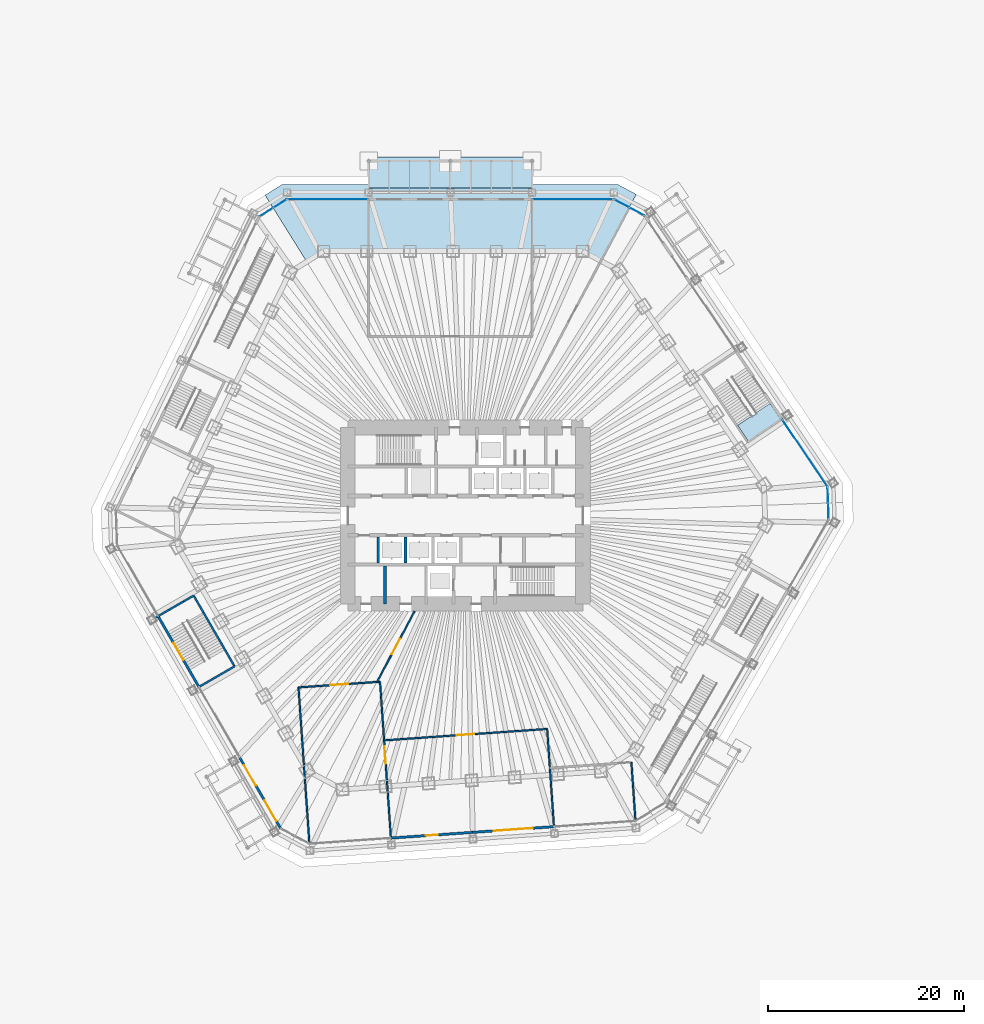
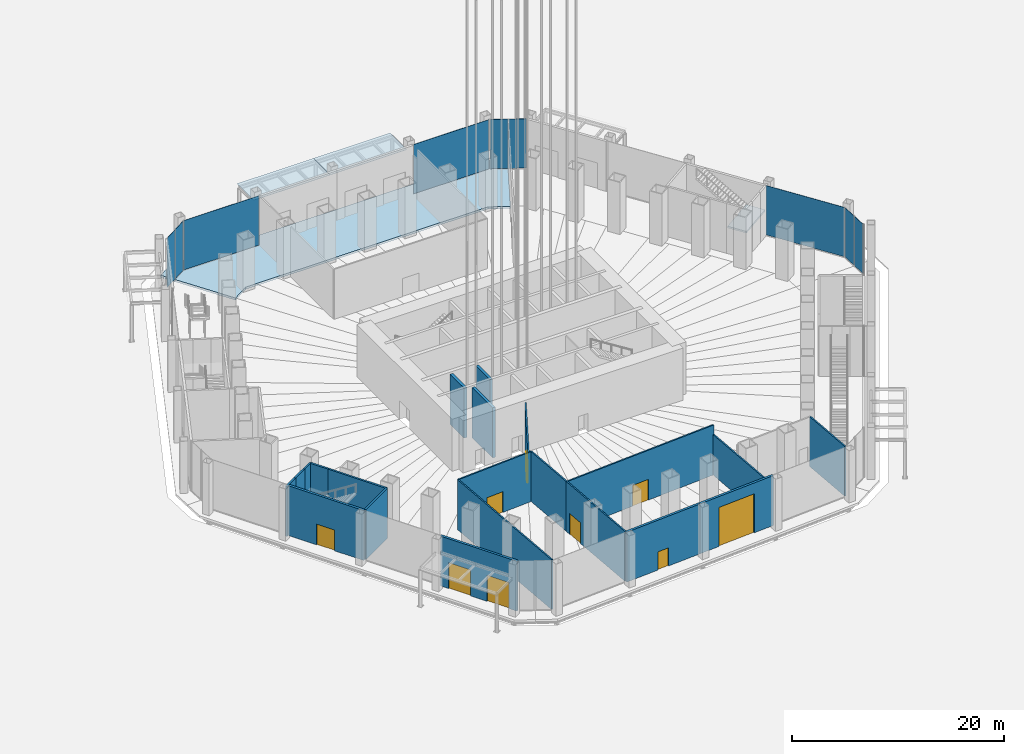
# One storey, part 27 of 45: 21 walls, 9 doors, 9 plates, 4 slabs, 9 openings, 7 elements without a shape of their own.
"""IFC4 building model written with IfcOpenShell, lengths in metres."""

from ifc_helpers import new_model, si_unit, direction, frame, frame_2d, origin, origin_2d, place, context, subcontext, project, spatial, polyline, rectangle, outline, extrude, material, layer, layer_set, type_object, element, fill, aggregate, save


model = new_model("IFC4")

# Units and contexts
model_context = context("Model", 3, precision=1e-05, world=origin(), true_north=direction((0.0, 1.0)))
body_context = subcontext(model_context, "Body", "Model", "MODEL_VIEW")
ifc_project = project(units=[si_unit("LENGTHUNIT", "METRE"), si_unit("AREAUNIT", "SQUARE_METRE"), si_unit("VOLUMEUNIT", "CUBIC_METRE"), si_unit("PLANEANGLEUNIT", "RADIAN"), si_unit("MASSUNIT", "GRAM", prefix="KILO")], contexts=[model_context])

# Site, building, storey
site_placement = place(None, origin())
site = spatial("IfcSite", under=ifc_project, at=site_placement, CompositionType="ELEMENT")
building_placement = place(site_placement, origin())
building = spatial("IfcBuilding", under=site, at=building_placement, Name="Qingtian Harvest Tower", CompositionType="ELEMENT")
storey_placement = place(building_placement, origin())
storey = spatial("IfcBuildingStorey", under=building, at=storey_placement, Name="L00", CompositionType="ELEMENT", Elevation=0.0)

# Slabs
ifc_material_1 = material(Name="Concrete fc' 35 MPa", Category="concrete")
ifc_layer_1 = layer(ifc_material_1, 0.25)
ifc_layer_set_1 = layer_set([ifc_layer_1], Name="Composite floor slab FS25 250")
slab_type_1 = type_object("IfcSlabType", Name="Composite floor slab FS25 250", PredefinedType="FLOOR", material=ifc_layer_set_1)
slab_1_placement = place(storey_placement, frame((0.0, 0.0, -0.25)))
element("IfcSlab", 1, at=slab_1_placement, inside=storey, type_object=slab_type_1, Name="Floor slab L00 panel DPN", PredefinedType="FLOOR", context=body_context, shape_type="SweptSolid", body=[
    extrude(outline(polyline([(15.57177734375, 33.800048828125), (17.44287109375, 32.80517578125), (13.8271484375, 26.005126953125), (11.9560546875, 27.0), (-14.471435546875, 27.0), (-16.197509765625, 25.92138671875), (-20.446533203125, 32.721435546875), (-18.720703125, 33.800048828125), (15.57177734375, 33.800048828125)])), origin(), (0.0, 0.0, 1.0), 0.25),
])
ifc_material_2 = material(Name="Laminated heat-strengthened glass", Category="glass")
ifc_layer_2 = layer(ifc_material_2, 0.0400390625)
ifc_layer_set_2 = layer_set([ifc_layer_2], Name="Entrance canopy CN1 glass")
slab_type_2 = type_object("IfcSlabType", Name="Entrance canopy CN1 glass", PredefinedType="ROOF", material=ifc_layer_set_2)
slab_2_placement = place(storey_placement, frame((0.0, 0.0, 4.4599609375)))
element("IfcSlab", 2, at=slab_2_placement, inside=storey, type_object=slab_type_2, Name="Entrance canopy CN1 CN1 1", PredefinedType="ROOF", context=body_context, shape_type="SweptSolid", body=[
    extrude(outline(polyline([(-9.87890625, 33.449951171875), (-1.537109375, 33.449951171875), (-1.537109375, 36.60009765625), (-9.87890625, 36.60009765625), (-9.87890625, 33.449951171875)])), origin(), (0.0, 0.0, 1.0), 0.0400390625),
])
slab_3_placement = place(storey_placement, frame((0.0, 0.0, 4.4599609375)))
element("IfcSlab", 3, at=slab_3_placement, inside=storey, type_object=slab_type_2, Name="Entrance canopy CN1 CN1 2", PredefinedType="ROOF", context=body_context, shape_type="SweptSolid", body=[
    extrude(outline(polyline([(-1.537109375, 33.449951171875), (6.8046875, 33.449951171875), (6.8046875, 36.60009765625), (-1.537109375, 36.60009765625), (-1.537109375, 33.449951171875)])), origin(), (0.0, 0.0, 1.0), 0.0400390625),
])

# Curtain wall, plate
ifc_material_3 = material(Name="Bronze-anodised aluminium curtain wall", Category="aluminium")
curtain_wall_type = type_object("IfcCurtainWallType", Name="Curtain wall CW1 podium shopfront", PredefinedType="USERDEFINED", material=ifc_material_3)
curtain_wall_1_placement = place(storey_placement, origin())
curtain_wall_1 = element("IfcCurtainWall", 4, at=curtain_wall_1_placement, inside=storey, type_object=curtain_wall_type, Name="Curtain wall CW1 L00 N0", ObjectType="RECESSED CURTAIN WALL", PredefinedType="USERDEFINED")
ifc_material_4 = material(Name="Bronze-tinted laminated insulating glass", Category="glass")
ifc_layer_3 = layer(ifc_material_4, 0.030029296875)
ifc_layer_set_3 = layer_set([ifc_layer_3], Name="Glazed panel CWP tinted IGU")
plate_type = type_object("IfcPlateType", Name="Glazed panel CWP tinted IGU", PredefinedType="CURTAIN_PANEL", material=ifc_layer_set_3)
plate_1_placement = place(storey_placement, frame((-14.0498046875, 32.300048828125, 0.06494140625), z_axis=(0.0, 0.0, 1.0), x_axis=(1.0, 0.0, 0.0)))
plate_1 = element("IfcPlate", 5, at=plate_1_placement, type_object=plate_type, Name="CW1 panel 1.1", PredefinedType="CURTAIN_PANEL", context=body_context, shape_type="SweptSolid", body=[
    extrude(rectangle(XDim=8.211669921875, YDim=0.030029296875, at=origin_2d()), origin(), (0.0, 0.0, 1.0), 5.68505859375),
])
aggregate(curtain_wall_1, [plate_1])

curtain_wall_2_placement = place(storey_placement, origin())
curtain_wall_2 = element("IfcCurtainWall", 6, at=curtain_wall_2_placement, inside=storey, type_object=curtain_wall_type, Name="Curtain wall CW1 L00 N3", ObjectType="RECESSED CURTAIN WALL", PredefinedType="USERDEFINED")
plate_2_placement = place(storey_placement, frame((10.9755859375, 32.300048828125, 0.06494140625), z_axis=(0.0, 0.0, 1.0), x_axis=(1.0, 0.0, 0.0)))
plate_2 = element("IfcPlate", 7, at=plate_2_placement, type_object=plate_type, Name="CW1 panel 1.1", PredefinedType="CURTAIN_PANEL", context=body_context, shape_type="SweptSolid", body=[
    extrude(rectangle(XDim=8.211669921875, YDim=0.030029296875, at=origin_2d()), origin(), (0.0, 0.0, 1.0), 5.68505859375),
])
aggregate(curtain_wall_2, [plate_2])

# Curtain wall, plates
curtain_wall_3_placement = place(storey_placement, origin())
curtain_wall_3 = element("IfcCurtainWall", 8, at=curtain_wall_3_placement, inside=storey, type_object=curtain_wall_type, Name="Curtain wall CW1 L00 NC", ObjectType="RECESSED CURTAIN WALL", PredefinedType="USERDEFINED")
plate_3_placement = place(storey_placement, frame((15.951171875, 31.8720703125, 0.06494140625), z_axis=(0.0, 0.0, 1.0), x_axis=(0.882947592859, -0.469471562786, 0.0)))
plate_3 = element("IfcPlate", 9, at=plate_3_placement, type_object=plate_type, Name="CW1 panel 1.1", PredefinedType="CURTAIN_PANEL", context=body_context, shape_type="SweptSolid", body=[
    extrude(rectangle(XDim=1.69287109375, YDim=0.030029296875, at=origin_2d()), origin(), (0.0, 0.0, 1.0), 5.68505859375),
])
plate_4_placement = place(storey_placement, frame((17.50341796875, 31.046875, 0.06494140625), z_axis=(0.0, 0.0, 1.0), x_axis=(0.882947592859, -0.469471562786, 0.0)))
plate_4 = element("IfcPlate", 10, at=plate_4_placement, type_object=plate_type, Name="CW1 panel 2.1", PredefinedType="CURTAIN_PANEL", context=body_context, shape_type="SweptSolid", body=[
    extrude(rectangle(XDim=1.69287109375, YDim=0.030029296875, at=origin_2d()), origin(), (0.0, 0.0, 1.0), 5.68505859375),
])
aggregate(curtain_wall_3, [plate_3, plate_4])

# Curtain wall, plate
curtain_wall_4_placement = place(storey_placement, origin())
curtain_wall_4 = element("IfcCurtainWall", 11, at=curtain_wall_4_placement, inside=storey, type_object=curtain_wall_type, Name="Curtain wall CW1 L00 NE3", ObjectType="RECESSED CURTAIN WALL", PredefinedType="USERDEFINED")
plate_5_placement = place(storey_placement, frame((34.634521484375, 6.4140625, 0.06494140625), z_axis=(0.0, 0.0, 1.0), x_axis=(0.559192903471, -0.829037572555, 0.0)))
plate_5 = element("IfcPlate", 12, at=plate_5_placement, type_object=plate_type, Name="CW1 panel 1.1", PredefinedType="CURTAIN_PANEL", context=body_context, shape_type="SweptSolid", body=[
    extrude(rectangle(XDim=8.211669921875, YDim=0.030029296875, at=origin_2d()), origin(), (0.0, 0.0, 1.0), 5.68505859375),
])
aggregate(curtain_wall_4, [plate_5])

# Curtain wall, plates
curtain_wall_5_placement = place(storey_placement, origin())
curtain_wall_5 = element("IfcCurtainWall", 13, at=curtain_wall_5_placement, inside=storey, type_object=curtain_wall_type, Name="Curtain wall CW1 L00 NEC", ObjectType="RECESSED CURTAIN WALL", PredefinedType="USERDEFINED")
plate_6_placement = place(storey_placement, frame((36.996337890625, 2.1083984375, 0.06494140625), z_axis=(0.0, 0.0, 1.0), x_axis=(0.034899496703, -0.999390827019, 0.0)))
plate_6 = element("IfcPlate", 14, at=plate_6_placement, type_object=plate_type, Name="CW1 panel 1.1", PredefinedType="CURTAIN_PANEL", context=body_context, shape_type="SweptSolid", body=[
    extrude(rectangle(XDim=1.56689453125, YDim=0.030029296875, at=origin_2d()), origin(), (0.0, 0.0, 1.0), 5.68505859375),
])
plate_7_placement = place(storey_placement, frame((37.053466796875, 0.4775390625, 0.06494140625), z_axis=(0.0, 0.0, 1.0), x_axis=(0.034899496703, -0.999390827019, 0.0)))
plate_7 = element("IfcPlate", 15, at=plate_7_placement, type_object=plate_type, Name="CW1 panel 2.1", PredefinedType="CURTAIN_PANEL", context=body_context, shape_type="SweptSolid", body=[
    extrude(rectangle(XDim=1.56689453125, YDim=0.030029296875, at=origin_2d()), origin(), (0.0, 0.0, 1.0), 5.68505859375),
])
aggregate(curtain_wall_5, [plate_6, plate_7])

curtain_wall_6_placement = place(storey_placement, origin())
curtain_wall_6 = element("IfcCurtainWall", 16, at=curtain_wall_6_placement, inside=storey, type_object=curtain_wall_type, Name="Curtain wall CW1 L00 NWC", ObjectType="RECESSED CURTAIN WALL", PredefinedType="USERDEFINED")
plate_8_placement = place(storey_placement, frame((-20.32421875, 30.985595703125, 0.06494140625), z_axis=(0.0, 0.0, 1.0), x_axis=(0.848048096156, 0.529919264233, 0.0)))
plate_8 = element("IfcPlate", 17, at=plate_8_placement, type_object=plate_type, Name="CW1 panel 1.1", PredefinedType="CURTAIN_PANEL", context=body_context, shape_type="SweptSolid", body=[
    extrude(rectangle(XDim=1.56689453125, YDim=0.030029296875, at=origin_2d()), origin(), (0.0, 0.0, 1.0), 5.68505859375),
])
plate_9_placement = place(storey_placement, frame((-18.940185546875, 31.850341796875, 0.06494140625), z_axis=(0.0, 0.0, 1.0), x_axis=(0.848048096156, 0.529919264233, 0.0)))
plate_9 = element("IfcPlate", 18, at=plate_9_placement, type_object=plate_type, Name="CW1 panel 2.1", PredefinedType="CURTAIN_PANEL", context=body_context, shape_type="SweptSolid", body=[
    extrude(rectangle(XDim=1.56689453125, YDim=0.030029296875, at=origin_2d()), origin(), (0.0, 0.0, 1.0), 5.68505859375),
])
aggregate(curtain_wall_6, [plate_8, plate_9])

# Stair, slab
ifc_material_5 = material(Name="Concrete fc' 35 MPa", Category="concrete")
stair_type = type_object("IfcStairType", Name="Exit stair PS1 6000", PredefinedType="HALF_TURN_STAIR", material=ifc_material_5)
stair_placement = place(storey_placement, origin())
stair = element("IfcStair", 19, at=stair_placement, inside=storey, type_object=stair_type, Name="Exit stair P1 L00", PredefinedType="HALF_TURN_STAIR")
ifc_material_6 = material(Name="Concrete fc' 35 MPa", Category="concrete")
ifc_layer_4 = layer(ifc_material_6, 0.199951171875)
ifc_layer_set_4 = layer_set([ifc_layer_4], Name="Stair landing SL2 200")
slab_type_3 = type_object("IfcSlabType", Name="Stair landing SL2 200", PredefinedType="LANDING", material=ifc_layer_set_4)
slab_4_placement = place(storey_placement, frame((0.0, 0.0, 2.800048828125)))
slab_4 = element("IfcSlab", 20, at=slab_4_placement, type_object=slab_type_3, Name="P1 landing 1", PredefinedType="LANDING", context=body_context, shape_type="SweptSolid", body=[
    extrude(outline(polyline([(28.903076171875, 7.579345703125), (27.789306640625, 9.23046875), (29.281494140625, 10.237060546875), (29.33740234375, 10.154052734375), (29.669189453125, 10.3779296875), (29.61328125, 10.460693359375), (31.10546875, 11.46728515625), (32.21923828125, 9.81591796875), (28.903076171875, 7.579345703125)])), origin(), (0.0, 0.0, 1.0), 0.199951171875),
])
aggregate(stair, [slab_4])

# Walls
ifc_material_7 = material(Name="Precast concrete shaft panel", Category="concrete")
ifc_layer_5 = layer(ifc_material_7, 0.300048828125)
ifc_layer_set_5 = layer_set([ifc_layer_5], Name="Core shaft partition SW1 300")
wall_type_1 = type_object("IfcWallType", Name="Core shaft partition SW1 300", PredefinedType="PARTITIONING", material=ifc_layer_set_5)
for number, where, z_axis, x_axis, name in (
    (21, (-8.89990234375, -4.85009765625, 0.0), (0.0, 0.0, 1.0), (0.0, 1.0, 0.0), "Core shaft partition XB1 L00"),
    (22, (-6.10009765625, -4.85009765625, 0.0), (0.0, 0.0, 1.0), (0.0, 1.0, 0.0), "Core shaft partition XB2 L00"),
):
    element("IfcWall", number, at=place(storey_placement, frame(where, z_axis=z_axis, x_axis=x_axis)), inside=storey, type_object=wall_type_1, Name=name, PredefinedType="PARTITIONING", context=body_context, shape_type="SweptSolid", body=[
        extrude(rectangle(XDim=2.650146484375, YDim=0.300048828125, at=frame_2d((1.3251953125, 0.0))), origin(), (0.0, 0.0, 1.0), 5.780029296875),
    ])
wall_1_placement = place(storey_placement, frame((-8.199951171875, -9.0, 0.0), z_axis=(0.0, 0.0, 1.0), x_axis=(0.0, 1.0, 0.0)))
element("IfcWall", 23, at=wall_1_placement, inside=storey, type_object=wall_type_1, Name="Core shaft partition XS1 L00", PredefinedType="PARTITIONING", context=body_context, shape_type="SweptSolid", body=[
    extrude(rectangle(XDim=3.85009765625, YDim=0.300048828125, at=frame_2d((1.925048828125, 0.0))), origin(), (0.0, 0.0, 1.0), 5.780029296875),
])

# Wall, opening, door
ifc_material_8 = material(Name="Bronze-clad steel-framed screen wall with fire-rated lining", Category="steel")
ifc_layer_6 = layer(ifc_material_8, 0.25)
ifc_layer_set_6 = layer_set([ifc_layer_6], Name="Facade door bay wall FW2 250")
wall_type_2 = type_object("IfcWallType", Name="Facade door bay wall FW2 250", PredefinedType="SOLIDWALL", material=ifc_layer_set_6)
wall_2_placement = place(storey_placement, frame((9.041259765625, -31.74658203125, 0.0), z_axis=(0.0, 0.0, 1.0), x_axis=(-0.99756294098, -0.069772335376, 0.0)))
wall_2 = element("IfcWall", 24, at=wall_2_placement, inside=storey, type_object=wall_type_2, Name="Loading bay roller shutter bay S1", PredefinedType="SOLIDWALL", context=body_context, shape_type="SweptSolid", body=[
    extrude(rectangle(XDim=8.341796875, YDim=0.25, at=frame_2d((4.1708984375, 0.0))), origin(), (0.0, 0.0, 1.0), 5.75),
])
opening_1_placement = place(wall_2_placement, frame((2.1708984375, 0.0, 0.0)))
opening_1 = element("IfcOpeningElement", 25, at=opening_1_placement, cuts=wall_2, Name="Opening RS1", PredefinedType="OPENING", context=body_context, shape_type="SweptSolid", body=[
    extrude(rectangle(XDim=4.0, YDim=4.5, at=frame_2d((2.0, 2.25))), frame((0.0, 0.135009765625, 0.0), z_axis=(0.0, -1.0, 0.0), x_axis=(1.0, 0.0, 0.0)), (0.0, 0.0, 1.0), 0.27001953125),
])
ifc_material_9 = material(Name="Galvanised steel roller shutter", Category="steel")
door_type_1 = type_object("IfcDoorType", Name="Roller shutter RS1", OperationType="ROLLINGUP", PredefinedType="DOOR", material=ifc_material_9)
door_1_placement = place(opening_1_placement, origin())
door_1 = element("IfcDoor", 26, at=door_1_placement, inside=storey, type_object=door_type_1, Name="Loading bay roller shutter S1", OperationType="ROLLINGUP", OverallHeight=4.5, OverallWidth=4.0, PredefinedType="DOOR", context=body_context, shape_type="SweptSolid", body=[
    extrude(rectangle(XDim=4.0, YDim=4.5, at=frame_2d((2.0, 2.25))), frame((0.0, 0.02490234375, 0.0), z_axis=(0.0, -1.0, 0.0), x_axis=(1.0, 0.0, 0.0)), (0.0, 0.0, 1.0), 0.050048828125),
])
fill(opening_1, door_1)

wall_3_placement = place(storey_placement, frame((0.7197265625, -32.32861328125, 0.0), z_axis=(0.0, 0.0, 1.0), x_axis=(-0.997564977604, -0.069743210844, 0.0)))
wall_3 = element("IfcWall", 27, at=wall_3_placement, inside=storey, type_object=wall_type_2, Name="Loading bay service door bay S2", PredefinedType="SOLIDWALL", context=body_context, shape_type="SweptSolid", body=[
    extrude(rectangle(XDim=8.341796875, YDim=0.25, at=frame_2d((4.1708984375, 0.0))), origin(), (0.0, 0.0, 1.0), 5.75),
])
opening_2_placement = place(wall_3_placement, frame((3.57080078125, 0.0, 0.0)))
opening_2 = element("IfcOpeningElement", 28, at=opening_2_placement, cuts=wall_3, Name="Opening SD1", PredefinedType="OPENING", context=body_context, shape_type="SweptSolid", body=[
    extrude(rectangle(XDim=1.199951171875, YDim=2.10009765625, at=frame_2d((0.60009765625, 1.050048828125))), frame((0.0, 0.135009765625, 0.0), z_axis=(0.0, -1.0, 0.0), x_axis=(1.0, 0.0, 0.0)), (0.0, 0.0, 1.0), 0.27001953125),
])
ifc_material_10 = material(Name="Steel-faced door leaf", Category="steel")
door_type_2 = type_object("IfcDoorType", Name="Service door SD1 single", OperationType="SINGLE_SWING_LEFT", PredefinedType="DOOR", material=ifc_material_10)
door_2_placement = place(opening_2_placement, origin())
door_2 = element("IfcDoor", 29, at=door_2_placement, inside=storey, type_object=door_type_2, Name="Loading bay service door S2", OperationType="SINGLE_SWING_LEFT", OverallHeight=2.10009765625, OverallWidth=1.199951171875, PredefinedType="DOOR", context=body_context, shape_type="SweptSolid", body=[
    extrude(rectangle(XDim=1.199951171875, YDim=2.10009765625, at=frame_2d((0.60009765625, 1.050048828125))), frame((0.0, 0.02490234375, 0.0), z_axis=(0.0, -1.0, 0.0), x_axis=(1.0, 0.0, 0.0)), (0.0, 0.0, 1.0), 0.050048828125),
])
fill(opening_2, door_2)

# Wall, openings, doors
wall_4_placement = place(storey_placement, frame((-18.8623046875, -31.9296875, 0.0), z_axis=(0.0, 0.0, 1.0), x_axis=(-0.499991838624, 0.866030115706, 0.0)))
wall_4 = element("IfcWall", 30, at=wall_4_placement, inside=storey, type_object=wall_type_2, Name="Market hall entrance bay SW0", PredefinedType="SOLIDWALL", context=body_context, shape_type="SweptSolid", body=[
    extrude(rectangle(XDim=8.342041015625, YDim=0.25, at=frame_2d((4.1708984375, 0.0))), origin(), (0.0, 0.0, 1.0), 5.75),
])
opening_3_placement = place(wall_4_placement, frame((0.885498046875, 0.0, 0.0)))
opening_3 = element("IfcOpeningElement", 31, at=opening_3_placement, cuts=wall_4, Name="Opening ED1", PredefinedType="OPENING", context=body_context, shape_type="SweptSolid", body=[
    extrude(rectangle(XDim=2.39990234375, YDim=3.0, at=frame_2d((1.199951171875, 1.5))), frame((0.0, 0.135009765625, 0.0), z_axis=(0.0, -1.0, 0.0), x_axis=(1.0, 0.0, 0.0)), (0.0, 0.0, 1.0), 0.27001953125),
])
opening_4_placement = place(wall_4_placement, frame((5.056396484375, 0.0, 0.0)))
opening_4 = element("IfcOpeningElement", 32, at=opening_4_placement, cuts=wall_4, Name="Opening ED1", PredefinedType="OPENING", context=body_context, shape_type="SweptSolid", body=[
    extrude(rectangle(XDim=2.39990234375, YDim=3.0, at=frame_2d((1.199951171875, 1.5))), frame((0.0, 0.135009765625, 0.0), z_axis=(0.0, -1.0, 0.0), x_axis=(1.0, 0.0, 0.0)), (0.0, 0.0, 1.0), 0.27001953125),
])
ifc_material_11 = material(Name="Bronze-framed glass door", Category="glass")
door_type_3 = type_object("IfcDoorType", Name="Entrance door ED1 double", OperationType="DOUBLE_DOOR_DOUBLE_SWING", PredefinedType="DOOR", material=ifc_material_11)
door_3_placement = place(opening_3_placement, origin())
door_3 = element("IfcDoor", 33, at=door_3_placement, inside=storey, type_object=door_type_3, Name="Market hall entrance SW0", OperationType="DOUBLE_DOOR_DOUBLE_SWING", OverallHeight=3.0, OverallWidth=2.39990234375, PredefinedType="DOOR", context=body_context, shape_type="SweptSolid", body=[
    extrude(rectangle(XDim=2.39990234375, YDim=3.0, at=frame_2d((1.199951171875, 1.5))), frame((0.0, 0.02490234375, 0.0), z_axis=(0.0, -1.0, 0.0), x_axis=(1.0, 0.0, 0.0)), (0.0, 0.0, 1.0), 0.050048828125),
])
fill(opening_3, door_3)
door_4_placement = place(opening_4_placement, origin())
door_4 = element("IfcDoor", 34, at=door_4_placement, inside=storey, type_object=door_type_3, Name="Market hall entrance SW0", OperationType="DOUBLE_DOOR_DOUBLE_SWING", OverallHeight=3.0, OverallWidth=2.39990234375, PredefinedType="DOOR", context=body_context, shape_type="SweptSolid", body=[
    extrude(rectangle(XDim=2.39990234375, YDim=3.0, at=frame_2d((1.199951171875, 1.5))), frame((0.0, 0.02490234375, 0.0), z_axis=(0.0, -1.0, 0.0), x_axis=(1.0, 0.0, 0.0)), (0.0, 0.0, 1.0), 0.050048828125),
])
fill(opening_4, door_4)

# Wall, opening, door
wall_5_placement = place(storey_placement, frame((-27.2041015625, -17.481201171875, 0.0), z_axis=(0.0, 0.0, 1.0), x_axis=(-0.500004511595, 0.866022798998, 0.0)))
wall_5 = element("IfcWall", 35, at=wall_5_placement, inside=storey, type_object=wall_type_2, Name="Exit stair discharge door bay SW2", PredefinedType="SOLIDWALL", context=body_context, shape_type="SweptSolid", body=[
    extrude(rectangle(XDim=8.341796875, YDim=0.25, at=frame_2d((4.1708984375, 0.0))), origin(), (0.0, 0.0, 1.0), 5.75),
])
opening_5_placement = place(wall_5_placement, frame((3.1708984375, 0.0, 0.0)))
opening_5 = element("IfcOpeningElement", 36, at=opening_5_placement, cuts=wall_5, Name="Opening XD1", PredefinedType="OPENING", context=body_context, shape_type="SweptSolid", body=[
    extrude(rectangle(XDim=2.0, YDim=2.39990234375, at=frame_2d((1.0, 1.199951171875))), frame((0.0, 0.135009765625, 0.0), z_axis=(0.0, -1.0, 0.0), x_axis=(1.0, 0.0, 0.0)), (0.0, 0.0, 1.0), 0.27001953125),
])
ifc_material_12 = material(Name="Steel-faced door leaf", Category="steel")
door_type_4 = type_object("IfcDoorType", Name="Exit discharge door XD1 double", OperationType="DOUBLE_DOOR_DOUBLE_SWING", PredefinedType="DOOR", material=ifc_material_12)
door_5_placement = place(opening_5_placement, origin())
door_5 = element("IfcDoor", 37, at=door_5_placement, inside=storey, type_object=door_type_4, Name="Exit stair discharge door SW2", OperationType="DOUBLE_DOOR_DOUBLE_SWING", OverallHeight=2.39990234375, OverallWidth=2.0, PredefinedType="DOOR", context=body_context, shape_type="SweptSolid", body=[
    extrude(rectangle(XDim=2.0, YDim=2.39990234375, at=frame_2d((1.0, 1.199951171875))), frame((0.0, 0.02490234375, 0.0), z_axis=(0.0, -1.0, 0.0), x_axis=(1.0, 0.0, 0.0)), (0.0, 0.0, 1.0), 0.050048828125),
])
fill(opening_5, door_5)

# Walls
ifc_material_13 = material(Name="Blockwork fire wall", Category="masonry")
ifc_layer_7 = layer(ifc_material_13, 0.199951171875)
ifc_layer_set_7 = layer_set([ifc_layer_7], Name="Fire partition FW1 200")
wall_type_3 = type_object("IfcWallType", Name="Fire partition FW1 200", PredefinedType="PARTITIONING", material=ifc_layer_set_7)
wall_6_placement = place(storey_placement, frame((-27.117431640625, -17.43115234375, 0.0), z_axis=(0.0, 0.0, 1.0), x_axis=(0.8660249478, 0.500000789788, 0.0)))
element("IfcWall", 38, at=wall_6_placement, inside=storey, type_object=wall_type_3, Name="Exit stair P3 enclosure L00", PredefinedType="PARTITIONING", context=body_context, shape_type="SweptSolid", body=[
    extrude(rectangle(XDim=4.10009765625, YDim=0.199951171875, at=frame_2d((2.050048828125, 0.0))), origin(), (0.0, 0.0, 1.0), 5.75),
])
wall_7_placement = place(storey_placement, frame((-31.656494140625, -10.41943359375, 0.0), z_axis=(0.0, 0.0, 1.0), x_axis=(0.866053003207, 0.499952193351, 0.0)))
element("IfcWall", 39, at=wall_7_placement, inside=storey, type_object=wall_type_3, Name="Exit stair P3 enclosure L00", PredefinedType="PARTITIONING", context=body_context, shape_type="SweptSolid", body=[
    extrude(rectangle(XDim=1.625244140625, YDim=0.199951171875, at=frame_2d((0.8125, 0.0))), origin(), (0.0, 0.0, 1.0), 5.75),
])
wall_8_placement = place(storey_placement, frame((-23.566650390625, -15.381103515625, 0.0), z_axis=(0.0, 0.0, 1.0), x_axis=(-0.500005339912, 0.866022320763, 0.0)))
element("IfcWall", 40, at=wall_8_placement, inside=storey, type_object=wall_type_3, Name="Exit stair P3 enclosure L00", PredefinedType="PARTITIONING", context=body_context, shape_type="SweptSolid", body=[
    extrude(rectangle(XDim=6.35009765625, YDim=0.199951171875, at=frame_2d((3.175048828125, 0.0))), origin(), (0.0, 0.0, 1.0), 5.75),
])
wall_9_placement = place(storey_placement, frame((-30.2490234375, -9.60693359375, 0.0), z_axis=(0.0, 0.0, 1.0), x_axis=(0.86605165483, 0.499954529098, 0.0)))
element("IfcWall", 41, at=wall_9_placement, inside=storey, type_object=wall_type_3, Name="Exit stair P3 enclosure L00", PredefinedType="PARTITIONING", context=body_context, shape_type="SweptSolid", body=[
    extrude(rectangle(XDim=1.699951171875, YDim=0.199951171875, at=frame_2d((0.85009765625, 0.0))), origin(), (0.0, 0.0, 1.0), 5.75),
])
wall_10_placement = place(storey_placement, frame((-28.77685546875, -8.757080078125, 0.0), z_axis=(0.0, 0.0, 1.0), x_axis=(0.866006032174, 0.500033551112, 0.0)))
element("IfcWall", 42, at=wall_10_placement, inside=storey, type_object=wall_type_3, Name="Exit stair P3 enclosure L00", PredefinedType="PARTITIONING", context=body_context, shape_type="SweptSolid", body=[
    extrude(rectangle(XDim=1.2001953125, YDim=0.199951171875, at=frame_2d((0.60009765625, 0.0))), origin(), (0.0, 0.0, 1.0), 5.75),
])
wall_11_placement = place(storey_placement, frame((-26.74169921875, -9.8818359375, 0.0), z_axis=(0.0, 0.0, 1.0), x_axis=(-0.500001870701, 0.866024323732, 0.0)))
element("IfcWall", 43, at=wall_11_placement, inside=storey, type_object=wall_type_3, Name="Exit stair P3 enclosure L00", PredefinedType="PARTITIONING", context=body_context, shape_type="SweptSolid", body=[
    extrude(rectangle(XDim=1.99169921875, YDim=0.199951171875, at=frame_2d((0.995849609375, 0.0))), origin(), (0.0, 0.0, 1.0), 5.75),
])
ifc_material_14 = material(Name="Gypsum board on steel studs", Category="steel")
ifc_layer_8 = layer(ifc_material_14, 0.14990234375)
ifc_layer_set_8 = layer_set([ifc_layer_8], Name="Partition PT1 150")
wall_type_4 = type_object("IfcWallType", Name="Partition PT1 150", PredefinedType="PARTITIONING", material=ifc_layer_set_8)
wall_12_placement = place(storey_placement, frame((9.0341796875, -31.64697265625, 0.0), z_axis=(0.0, 0.0, 1.0), x_axis=(-0.069739801019, 0.99756521599, 0.0)))
element("IfcWall", 44, at=wall_12_placement, inside=storey, type_object=wall_type_4, Name="Loading bay wall L00", PredefinedType="PARTITIONING", context=body_context, shape_type="SweptSolid", body=[
    extrude(rectangle(XDim=9.900146484375, YDim=0.14990234375, at=frame_2d((4.9501953125, 0.0))), origin(), (0.0, 0.0, 1.0), 4.64990234375),
])

# Wall, opening, door
wall_13_placement = place(storey_placement, frame((-7.608642578125, -32.810791015625, 0.0), z_axis=(0.0, 0.0, 1.0), x_axis=(-0.069764341483, 0.997563500063, 0.0)))
wall_13 = element("IfcWall", 45, at=wall_13_placement, inside=storey, type_object=wall_type_4, Name="Loading bay wall L00", PredefinedType="PARTITIONING", context=body_context, shape_type="SweptSolid", body=[
    extrude(rectangle(XDim=9.900146484375, YDim=0.14990234375, at=frame_2d((4.9501953125, 0.0))), origin(), (0.0, 0.0, 1.0), 5.75),
])
opening_6_placement = place(wall_13_placement, frame((7.5, 0.0, 0.0)))
opening_6 = element("IfcOpeningElement", 46, at=opening_6_placement, cuts=wall_13, Name="Opening D3", PredefinedType="OPENING", context=body_context, shape_type="SweptSolid", body=[
    extrude(rectangle(XDim=1.800048828125, YDim=2.39990234375, at=frame_2d((0.89990234375, 1.199951171875))), frame((0.0, 0.0849609375, 0.0), z_axis=(0.0, -1.0, 0.0), x_axis=(1.0, 0.0, 0.0)), (0.0, 0.0, 1.0), 0.169921875),
])
ifc_material_15 = material(Name="Laminated timber door leaf", Category="wood")
door_type_5 = type_object("IfcDoorType", Name="Room door D3 double", OperationType="DOUBLE_DOOR_DOUBLE_SWING", PredefinedType="DOOR", material=ifc_material_15)
door_6_placement = place(opening_6_placement, origin())
door_6 = element("IfcDoor", 47, at=door_6_placement, inside=storey, type_object=door_type_5, Name="Loading bay service door L00", OperationType="DOUBLE_DOOR_DOUBLE_SWING", OverallHeight=2.39990234375, OverallWidth=1.800048828125, PredefinedType="DOOR", context=body_context, shape_type="SweptSolid", body=[
    extrude(rectangle(XDim=1.800048828125, YDim=2.39990234375, at=frame_2d((0.89990234375, 1.199951171875))), frame((0.0, 0.02490234375, 0.0), z_axis=(0.0, -1.0, 0.0), x_axis=(1.0, 0.0, 0.0)), (0.0, 0.0, 1.0), 0.050048828125),
])
fill(opening_6, door_6)

wall_14_placement = place(storey_placement, frame((8.34375, -21.77099609375, 0.0), z_axis=(0.0, 0.0, 1.0), x_axis=(-0.997563959397, -0.069757773133, 0.0)))
wall_14 = element("IfcWall", 48, at=wall_14_placement, inside=storey, type_object=wall_type_4, Name="Loading bay wall L00", PredefinedType="PARTITIONING", context=body_context, shape_type="SweptSolid", body=[
    extrude(rectangle(XDim=16.68359375, YDim=0.14990234375, at=frame_2d((8.341796875, 0.0))), origin(), (0.0, 0.0, 1.0), 5.75),
])
opening_7_placement = place(wall_14_placement, frame((7.44189453125, 0.0, 0.0)))
opening_7 = element("IfcOpeningElement", 49, at=opening_7_placement, cuts=wall_14, Name="Opening D3", PredefinedType="OPENING", context=body_context, shape_type="SweptSolid", body=[
    extrude(rectangle(XDim=1.800048828125, YDim=2.39990234375, at=frame_2d((0.89990234375, 1.199951171875))), frame((0.0, 0.0849609375, 0.0), z_axis=(0.0, -1.0, 0.0), x_axis=(1.0, 0.0, 0.0)), (0.0, 0.0, 1.0), 0.169921875),
])
door_7_placement = place(opening_7_placement, origin())
door_7 = element("IfcDoor", 50, at=door_7_placement, inside=storey, type_object=door_type_5, Name="Loading bay door L00", OperationType="DOUBLE_DOOR_DOUBLE_SWING", OverallHeight=2.39990234375, OverallWidth=1.800048828125, PredefinedType="DOOR", context=body_context, shape_type="SweptSolid", body=[
    extrude(rectangle(XDim=1.800048828125, YDim=2.39990234375, at=frame_2d((0.89990234375, 1.199951171875))), frame((0.0, 0.02490234375, 0.0), z_axis=(0.0, -1.0, 0.0), x_axis=(1.0, 0.0, 0.0)), (0.0, 0.0, 1.0), 0.050048828125),
])
fill(opening_7, door_7)

# Walls
wall_15_placement = place(storey_placement, frame((17.355712890625, -31.06494140625, 0.0), z_axis=(0.0, 0.0, 1.0), x_axis=(-0.069767771051, 0.997563260211, 0.0)))
element("IfcWall", 51, at=wall_15_placement, inside=storey, type_object=wall_type_4, Name="Staff WC wall L00", PredefinedType="PARTITIONING", context=body_context, shape_type="SweptSolid", body=[
    extrude(rectangle(XDim=5.89990234375, YDim=0.14990234375, at=frame_2d((2.949951171875, 0.0))), origin(), (0.0, 0.0, 1.0), 5.75),
])
wall_16_placement = place(storey_placement, frame((-8.29931640625, -22.934814453125, 0.0), z_axis=(0.0, 0.0, 1.0), x_axis=(-0.069743284499, 0.997564972454, 0.0)))
element("IfcWall", 52, at=wall_16_placement, inside=storey, type_object=wall_type_4, Name="Seafood market wall L00", PredefinedType="PARTITIONING", context=body_context, shape_type="SweptSolid", body=[
    extrude(rectangle(XDim=6.0, YDim=0.14990234375, at=frame_2d((3.0, 0.0))), origin(), (0.0, 0.0, 1.0), 5.75),
])
wall_17_placement = place(storey_placement, frame((-15.93017578125, -33.392578125, 0.0), z_axis=(0.0, 0.0, 1.0), x_axis=(-0.069756395536, 0.997564055729, 0.0)))
element("IfcWall", 53, at=wall_17_placement, inside=storey, type_object=wall_type_4, Name="Seafood market wall L00", PredefinedType="PARTITIONING", context=body_context, shape_type="SweptSolid", body=[
    extrude(rectangle(XDim=15.900146484375, YDim=0.14990234375, at=frame_2d((7.9501953125, 0.0))), origin(), (0.0, 0.0, 1.0), 5.75),
])

# Wall, opening, door
wall_18_placement = place(storey_placement, frame((-8.7177734375, -16.949462890625, 0.0), z_axis=(0.0, 0.0, 1.0), x_axis=(-0.997564977604, -0.069743210844, 0.0)))
wall_18 = element("IfcWall", 54, at=wall_18_placement, inside=storey, type_object=wall_type_4, Name="Seafood market wall L00", PredefinedType="PARTITIONING", context=body_context, shape_type="SweptSolid", body=[
    extrude(rectangle(XDim=8.341796875, YDim=0.14990234375, at=frame_2d((4.1708984375, 0.0))), origin(), (0.0, 0.0, 1.0), 5.75),
])
opening_8_placement = place(wall_18_placement, frame((3.27099609375, 0.0, 0.0)))
opening_8 = element("IfcOpeningElement", 55, at=opening_8_placement, cuts=wall_18, Name="Opening D3", PredefinedType="OPENING", context=body_context, shape_type="SweptSolid", body=[
    extrude(rectangle(XDim=1.800048828125, YDim=2.39990234375, at=frame_2d((0.89990234375, 1.199951171875))), frame((0.0, 0.0849609375, 0.0), z_axis=(0.0, -1.0, 0.0), x_axis=(1.0, 0.0, 0.0)), (0.0, 0.0, 1.0), 0.169921875),
])
door_8_placement = place(opening_8_placement, origin())
door_8 = element("IfcDoor", 56, at=door_8_placement, inside=storey, type_object=door_type_5, Name="Seafood market door L00", OperationType="DOUBLE_DOOR_DOUBLE_SWING", OverallHeight=2.39990234375, OverallWidth=1.800048828125, PredefinedType="DOOR", context=body_context, shape_type="SweptSolid", body=[
    extrude(rectangle(XDim=1.800048828125, YDim=2.39990234375, at=frame_2d((0.89990234375, 1.199951171875))), frame((0.0, 0.02490234375, 0.0), z_axis=(0.0, -1.0, 0.0), x_axis=(1.0, 0.0, 0.0)), (0.0, 0.0, 1.0), 0.050048828125),
])
fill(opening_8, door_8)

wall_19_placement = place(storey_placement, frame((-5.18408203125, -9.75, 0.0), z_axis=(0.0, 0.0, 1.0), x_axis=(-0.469479196043, -0.882943534142, 0.0)))
wall_19 = element("IfcWall", 57, at=wall_19_placement, inside=storey, type_object=wall_type_4, Name="Hall dividing wall L00", PredefinedType="PARTITIONING", context=body_context, shape_type="SweptSolid", body=[
    extrude(rectangle(XDim=8.172119140625, YDim=0.14990234375, at=frame_2d((4.0859375, 0.0))), origin(), (0.0, 0.0, 1.0), 5.75),
])
opening_9_placement = place(wall_19_placement, frame((3.18603515625, 0.0, 0.0)))
opening_9 = element("IfcOpeningElement", 58, at=opening_9_placement, cuts=wall_19, Name="Opening D3", PredefinedType="OPENING", context=body_context, shape_type="SweptSolid", body=[
    extrude(rectangle(XDim=1.800048828125, YDim=2.39990234375, at=frame_2d((0.89990234375, 1.199951171875))), frame((0.0, 0.0849609375, 0.0), z_axis=(0.0, -1.0, 0.0), x_axis=(1.0, 0.0, 0.0)), (0.0, 0.0, 1.0), 0.169921875),
])
door_9_placement = place(opening_9_placement, origin())
door_9 = element("IfcDoor", 59, at=door_9_placement, inside=storey, type_object=door_type_5, Name="Hall door L00", OperationType="DOUBLE_DOOR_DOUBLE_SWING", OverallHeight=2.39990234375, OverallWidth=1.800048828125, PredefinedType="DOOR", context=body_context, shape_type="SweptSolid", body=[
    extrude(rectangle(XDim=1.800048828125, YDim=2.39990234375, at=frame_2d((0.89990234375, 1.199951171875))), frame((0.0, 0.02490234375, 0.0), z_axis=(0.0, -1.0, 0.0), x_axis=(1.0, 0.0, 0.0)), (0.0, 0.0, 1.0), 0.050048828125),
])
fill(opening_9, door_9)

save(model, "model.ifc")
